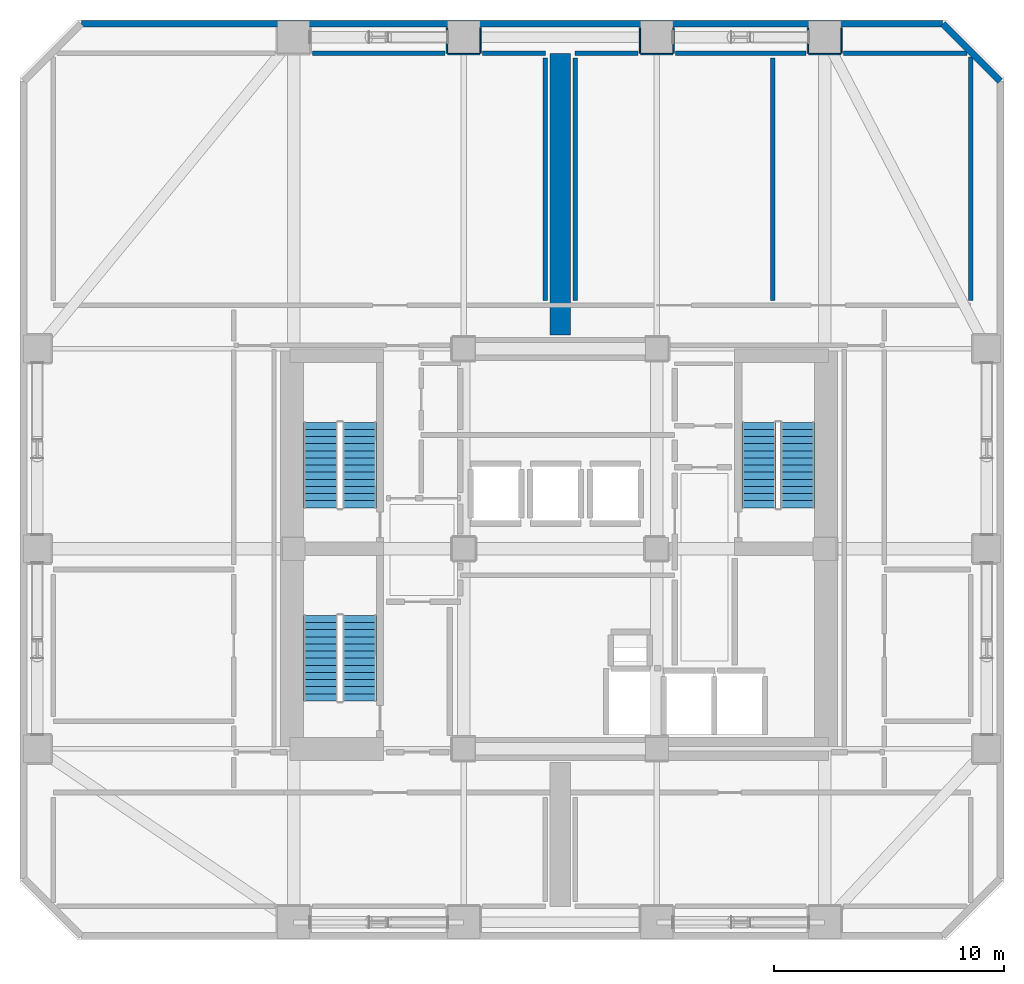
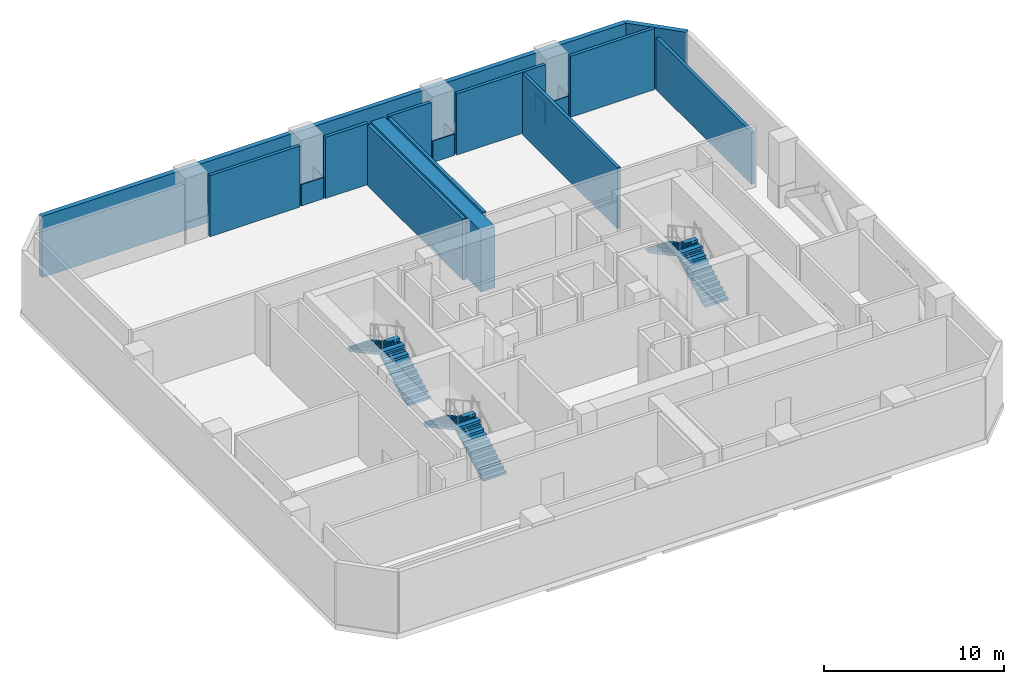
# One storey, part 10 of 11: 21 walls, 6 stair flights, 3 elements without a shape of their own.
"""IFC4 building model written with IfcOpenShell, lengths in metres."""

from ifc_helpers import new_model, si_unit, direction, frame, frame_2d, origin, place, context, subcontext, project, spatial, polyline, rectangle, outline, extrude, material, layer, layer_set, type_object, element, aggregate, save


model = new_model("IFC4")

# Units and contexts
model_context = context("Model", 3, precision=1e-05, world=origin(), true_north=direction((0.0, 1.0)))
body_context = subcontext(model_context, "Body", "Model", "MODEL_VIEW")
ifc_project = project(units=[si_unit("LENGTHUNIT", "METRE"), si_unit("AREAUNIT", "SQUARE_METRE"), si_unit("VOLUMEUNIT", "CUBIC_METRE"), si_unit("PLANEANGLEUNIT", "RADIAN"), si_unit("MASSUNIT", "GRAM", prefix="KILO")], contexts=[model_context])

# Site, building, storey
site_placement = place(None, origin())
site = spatial("IfcSite", under=ifc_project, at=site_placement, CompositionType="ELEMENT")
building_placement = place(site_placement, origin())
building = spatial("IfcBuilding", under=site, at=building_placement, Name="Solanera Arch Residences", CompositionType="ELEMENT")
storey_placement = place(building_placement, frame((0.0, 0.0, 88.39990234375)))
storey = spatial("IfcBuildingStorey", under=building, at=storey_placement, Name="L25", CompositionType="ELEMENT", Elevation=88.39990234375)

# Walls
ifc_material_1 = material(Name="Fire-Rated Gypsum Stud Partition", Category="gypsum")
ifc_layer_1 = layer(ifc_material_1, 0.06005859375)
ifc_layer_set_1 = layer_set([ifc_layer_1], Name="Fire-Rated Gypsum Stud Partition")
wall_type_1 = type_object("IfcWallType", Name="Column Acoustic Furring Wall 60", PredefinedType="PARTITIONING", material=ifc_layer_set_1)
wall_1_placement = place(storey_placement, frame((20.10009765625, 52.218017578125, 0.0), z_axis=(0.0, 0.0, 1.0), x_axis=(1.0, 0.0, 0.0)))
element("IfcWall", 1, at=wall_1_placement, inside=storey, type_object=wall_type_1, Name="L25 Column Furring 12S", PredefinedType="PARTITIONING", context=body_context, shape_type="SweptSolid", body=[
    extrude(rectangle(XDim=1.39990234375, YDim=0.06005859375, at=frame_2d((0.699951171875, 0.0))), origin(), (0.0, 0.0, 1.0), 1.4501953125),
])
for number, where, z_axis, x_axis, name in (
    (2, (20.068115234375, 52.25, 0.0), (0.0, 0.0, 1.0), (0.0, 1.0, 0.0), "L25 Column Furring 12W"),
    (3, (21.531982421875, 52.25, 0.0), (0.0, 0.0, 1.0), (0.0, 1.0, 0.0), "L25 Column Furring 12E"),
):
    element("IfcWall", number, at=place(storey_placement, frame(where, z_axis=z_axis, x_axis=x_axis)), inside=storey, type_object=wall_type_1, Name=name, PredefinedType="PARTITIONING", context=body_context, shape_type="SweptSolid", body=[
        extrude(rectangle(XDim=1.1201171875, YDim=0.06005859375, at=frame_2d((0.56005859375, 0.0))), origin(), (0.0, 0.0, 1.0), 1.4501953125),
    ])
wall_2_placement = place(storey_placement, frame((28.5, 52.218017578125, 0.0), z_axis=(0.0, 0.0, 1.0), x_axis=(1.0, 0.0, 0.0)))
element("IfcWall", 4, at=wall_2_placement, inside=storey, type_object=wall_type_1, Name="L25 Column Furring 14S", PredefinedType="PARTITIONING", context=body_context, shape_type="SweptSolid", body=[
    extrude(rectangle(XDim=1.39990234375, YDim=0.06005859375, at=frame_2d((0.699951171875, 0.0))), origin(), (0.0, 0.0, 1.0), 1.4501953125),
])
for number, where, z_axis, x_axis, name in (
    (5, (28.468017578125, 52.25, 0.0), (0.0, 0.0, 1.0), (0.0, 1.0, 0.0), "L25 Column Furring 14W"),
    (6, (29.931884765625, 52.25, 0.0), (0.0, 0.0, 1.0), (0.0, 1.0, 0.0), "L25 Column Furring 14E"),
):
    element("IfcWall", number, at=place(storey_placement, frame(where, z_axis=z_axis, x_axis=x_axis)), inside=storey, type_object=wall_type_1, Name=name, PredefinedType="PARTITIONING", context=body_context, shape_type="SweptSolid", body=[
        extrude(rectangle(XDim=1.1201171875, YDim=0.06005859375, at=frame_2d((0.56005859375, 0.0))), origin(), (0.0, 0.0, 1.0), 1.4501953125),
    ])
wall_3_placement = place(storey_placement, frame((35.800048828125, 52.218017578125, 0.0), z_axis=(0.0, 0.0, 1.0), x_axis=(1.0, 0.0, 0.0)))
element("IfcWall", 7, at=wall_3_placement, inside=storey, type_object=wall_type_1, Name="L25 Column Furring 16S", PredefinedType="PARTITIONING", context=body_context, shape_type="SweptSolid", body=[
    extrude(rectangle(XDim=1.39990234375, YDim=0.06005859375, at=frame_2d((0.699951171875, 0.0))), origin(), (0.0, 0.0, 1.0), 1.4501953125),
])
for number, where, z_axis, x_axis, name in (
    (8, (35.76806640625, 52.25, 0.0), (0.0, 0.0, 1.0), (0.0, 1.0, 0.0), "L25 Column Furring 16W"),
    (9, (37.23193359375, 52.25, 0.0), (0.0, 0.0, 1.0), (0.0, 1.0, 0.0), "L25 Column Furring 16E"),
):
    element("IfcWall", number, at=place(storey_placement, frame(where, z_axis=z_axis, x_axis=x_axis)), inside=storey, type_object=wall_type_1, Name=name, PredefinedType="PARTITIONING", context=body_context, shape_type="SweptSolid", body=[
        extrude(rectangle(XDim=1.1201171875, YDim=0.06005859375, at=frame_2d((0.56005859375, 0.0))), origin(), (0.0, 0.0, 1.0), 1.4501953125),
    ])
ifc_material_2 = material(Name="Concrete C55/67 (f'c = 60 MPa)", Category="concrete")
ifc_layer_2 = layer(ifc_material_2, 0.89990234375)
ifc_layer_set_2 = layer_set([ifc_layer_2], Name="Concrete C55/67 (f'c = 60 MPa)")
wall_type_2 = type_object("IfcWallType", Name="Core Shear Wall Outrigger OW-900", PredefinedType="SHEAR", material=ifc_layer_set_2)
wall_4_placement = place(storey_placement, frame((25.0, 40.0, 0.0), z_axis=(0.0, 0.0, 1.0), x_axis=(0.0, 1.0, 0.0)))
element("IfcWall", 10, at=wall_4_placement, inside=storey, type_object=wall_type_2, Name="L25 North Outrigger Shear Wall", PredefinedType="SHEAR", context=body_context, shape_type="SweptSolid", body=[
    extrude(rectangle(XDim=12.25, YDim=0.89990234375, at=frame_2d((6.125, 0.0))), origin(), (0.0, 0.0, 1.0), 4.14013671875),
])
ifc_material_3 = material(Name="Precast Concrete C35/45", Category="concrete")
ifc_layer_3 = layer(ifc_material_3, 0.300048828125)
ifc_layer_set_3 = layer_set([ifc_layer_3], Name="Precast Concrete C35/45")
wall_type_3 = type_object("IfcWallType", Name="Exterior Wall Precast Masonry-Frame 300", PredefinedType="STANDARD", material=ifc_layer_set_3)
wall_5_placement = place(storey_placement, frame((4.1650390625, 53.534912109375, 0.0), z_axis=(0.0, 0.0, 1.0), x_axis=(1.0, 0.0, 0.0)))
element("IfcWall", 11, at=wall_5_placement, inside=storey, type_object=wall_type_3, Name="L25 Tower Exterior Precast Masonry-Frame Wall N", PredefinedType="STANDARD", context=body_context, shape_type="SweptSolid", body=[
    extrude(rectangle(XDim=37.469970703125, YDim=0.300048828125, at=frame_2d((18.73486328125, 0.0))), origin(), (0.0, 0.0, 1.0), 4.14013671875),
])
wall_6_placement = place(storey_placement, frame((41.635009765625, 53.534912109375, 0.0), z_axis=(0.0, 0.0, 1.0), x_axis=(0.707106781187, -0.707106781187, 0.0)))
element("IfcWall", 12, at=wall_6_placement, inside=storey, type_object=wall_type_3, Name="L25 Tower Exterior Precast Masonry-Frame Wall CH3", PredefinedType="STANDARD", context=body_context, shape_type="SweptSolid", body=[
    extrude(rectangle(XDim=3.53564453125, YDim=0.300048828125, at=frame_2d((1.767822265625, 0.0))), origin(), (0.0, 0.0, 1.0), 4.14013671875),
])
ifc_material_4 = material(Name="Autoclaved Aerated Concrete Blockwork", Category="masonry")
ifc_layer_4 = layer(ifc_material_4, 0.199951171875)
ifc_layer_set_4 = layer_set([ifc_layer_4], Name="Autoclaved Aerated Concrete Blockwork")
wall_type_4 = type_object("IfcWallType", Name="Party Wall Acoustic 200", PredefinedType="PARTITIONING", material=ifc_layer_set_4)
wall_7_placement = place(storey_placement, frame((14.2119140625, 52.25, 0.0), z_axis=(0.0, 0.0, 1.0), x_axis=(1.0, 0.0, 0.0)))
element("IfcWall", 13, at=wall_7_placement, inside=storey, type_object=wall_type_4, Name="L25 Interior Partition H15 2", PredefinedType="PARTITIONING", context=body_context, shape_type="SweptSolid", body=[
    extrude(rectangle(XDim=5.776123046875, YDim=0.199951171875, at=frame_2d((2.88818359375, 0.0))), origin(), (0.0, 0.0, 1.0), 4.14013671875),
])
for number, where, z_axis, x_axis, name in (
    (14, (21.612060546875, 52.25, 0.0), (0.0, 0.0, 1.0), (1.0, 0.0, 0.0), "L25 Interior Partition H15 3"),
    (15, (25.64990234375, 52.25, 0.0), (0.0, 0.0, 1.0), (1.0, 0.0, 0.0), "L25 Interior Partition H16 1"),
):
    element("IfcWall", number, at=place(storey_placement, frame(where, z_axis=z_axis, x_axis=x_axis)), inside=storey, type_object=wall_type_4, Name=name, PredefinedType="PARTITIONING", context=body_context, shape_type="SweptSolid", body=[
        extrude(rectangle(XDim=2.738037109375, YDim=0.199951171875, at=frame_2d((1.369140625, 0.0))), origin(), (0.0, 0.0, 1.0), 4.14013671875),
    ])
wall_8_placement = place(storey_placement, frame((30.011962890625, 52.25, 0.0), z_axis=(0.0, 0.0, 1.0), x_axis=(1.0, 0.0, 0.0)))
element("IfcWall", 16, at=wall_8_placement, inside=storey, type_object=wall_type_4, Name="L25 Interior Partition H16 2", PredefinedType="PARTITIONING", context=body_context, shape_type="SweptSolid", body=[
    extrude(rectangle(XDim=5.676025390625, YDim=0.199951171875, at=frame_2d((2.837890625, 0.0))), origin(), (0.0, 0.0, 1.0), 4.14013671875),
])
wall_9_placement = place(storey_placement, frame((37.31201171875, 52.25, 0.0), z_axis=(0.0, 0.0, 1.0), x_axis=(1.0, 0.0, 0.0)))
element("IfcWall", 17, at=wall_9_placement, inside=storey, type_object=wall_type_4, Name="L25 Interior Partition H16 3", PredefinedType="PARTITIONING", context=body_context, shape_type="SweptSolid", body=[
    extrude(rectangle(XDim=5.37890625, YDim=0.199951171875, at=frame_2d((2.689453125, 0.0))), origin(), (0.0, 0.0, 1.0), 4.14013671875),
])
for number, where, z_axis, x_axis, name in (
    (18, (24.35009765625, 41.508056640625, 0.0), (0.0, 0.0, 1.0), (0.0, 1.0, 0.0), "L25 Interior Partition V12"),
    (19, (25.64990234375, 41.508056640625, 0.0), (0.0, 0.0, 1.0), (0.0, 1.0, 0.0), "L25 Interior Partition V14"),
    (20, (34.25, 41.508056640625, 0.0), (0.0, 0.0, 1.0), (0.0, 1.0, 0.0), "L25 Interior Partition V15"),
):
    element("IfcWall", number, at=place(storey_placement, frame(where, z_axis=z_axis, x_axis=x_axis)), inside=storey, type_object=wall_type_4, Name=name, PredefinedType="PARTITIONING", context=body_context, shape_type="SweptSolid", body=[
        extrude(rectangle(XDim=10.533935546875, YDim=0.199951171875, at=frame_2d((5.26708984375, 0.0))), origin(), (0.0, 0.0, 1.0), 4.14013671875),
    ])
wall_10_placement = place(storey_placement, frame((42.85009765625, 41.508056640625, 0.0), z_axis=(0.0, 0.0, 1.0), x_axis=(0.0, 1.0, 0.0)))
element("IfcWall", 21, at=wall_10_placement, inside=storey, type_object=wall_type_4, Name="L25 Interior Partition V19", PredefinedType="PARTITIONING", context=body_context, shape_type="SweptSolid", body=[
    extrude(rectangle(XDim=10.5830078125, YDim=0.199951171875, at=frame_2d((5.29150390625, 0.0))), origin(), (0.0, 0.0, 1.0), 3.525146484375),
])

# Stair, stair flights
ifc_material_5 = material(Name="Concrete C40/50 (f'c = 45 MPa)", Category="concrete")
stair_type = type_object("IfcStairType", Name="Tower Dogleg Exit Stair 1480", PredefinedType="HALF_TURN_STAIR", material=ifc_material_5)
stair_1_placement = place(storey_placement, origin())
stair_1 = element("IfcStair", 22, at=stair_1_placement, inside=storey, type_object=stair_type, Name="L25 Tower Core Exit Stair 1", PredefinedType="HALF_TURN_STAIR")
ifc_material_6 = material(Name="Concrete C40/50 (f'c = 45 MPa)", Category="concrete")
stair_flight_type = type_object("IfcStairFlightType", Name="Tower Precast Stair Flight 1480", PredefinedType="STRAIGHT", material=ifc_material_6)
stair_flight_1_placement = place(storey_placement, frame((16.260009765625, 32.47998046875, 0.0), z_axis=(0.0, 0.0, 1.0), x_axis=(0.0, 1.0, 0.0)))
stair_flight_1 = element("IfcStairFlight", 23, at=stair_flight_1_placement, type_object=stair_flight_type, Name="ST-T1 flight 1", NumberOfRisers=13, NumberOfTreads=12, PredefinedType="STRAIGHT", RiserHeight=0.169230769, TreadLength=0.31, context=body_context, shape_type="SweptSolid", body=[
    extrude(outline(polyline([(0.0, 0.0), (0.0, 0.169189453125), (0.31005859375, 0.169189453125), (0.31005859375, 0.33837890625), (0.6201171875, 0.33837890625), (0.6201171875, 0.5078125), (0.929931640625, 0.5078125), (0.929931640625, 0.677001953125), (1.239990234375, 0.677001953125), (1.239990234375, 0.84619140625), (1.550048828125, 0.84619140625), (1.550048828125, 1.015380859375), (1.860107421875, 1.015380859375), (1.860107421875, 1.1845703125), (2.169921875, 1.1845703125), (2.169921875, 1.353759765625), (2.47998046875, 1.353759765625), (2.47998046875, 1.523193359375), (2.7900390625, 1.523193359375), (2.7900390625, 1.6923828125), (3.10009765625, 1.6923828125), (3.10009765625, 1.861572265625), (3.409912109375, 1.861572265625), (3.409912109375, 2.03076171875), (3.719970703125, 2.03076171875), (3.719970703125, 2.199951171875), (3.719970703125, 1.85986328125), (0.312744140625, 0.0), (0.0, 0.0)])), frame((0.0, 0.739990234375, 0.0), z_axis=(0.0, -1.0, 0.0), x_axis=(1.0, 0.0, 0.0)), (0.0, 0.0, 1.0), 1.47998046875),
])
stair_flight_2_placement = place(storey_placement, frame((14.580078125, 36.199951171875, 2.2001953125), z_axis=(0.0, 0.0, 1.0), x_axis=(0.0, -1.0, 0.0)))
stair_flight_2 = element("IfcStairFlight", 24, at=stair_flight_2_placement, type_object=stair_flight_type, Name="ST-T1 flight 2", NumberOfRisers=13, NumberOfTreads=12, PredefinedType="STRAIGHT", RiserHeight=0.169230769, TreadLength=0.31, context=body_context, shape_type="SweptSolid", body=[
    extrude(outline(polyline([(0.0, 0.0), (0.0, 0.169189453125), (0.31005859375, 0.169189453125), (0.31005859375, 0.33837890625), (0.6201171875, 0.33837890625), (0.6201171875, 0.5078125), (0.929931640625, 0.5078125), (0.929931640625, 0.677001953125), (1.239990234375, 0.677001953125), (1.239990234375, 0.84619140625), (1.550048828125, 0.84619140625), (1.550048828125, 1.015380859375), (1.860107421875, 1.015380859375), (1.860107421875, 1.1845703125), (2.169921875, 1.1845703125), (2.169921875, 1.353759765625), (2.47998046875, 1.353759765625), (2.47998046875, 1.523193359375), (2.7900390625, 1.523193359375), (2.7900390625, 1.6923828125), (3.10009765625, 1.6923828125), (3.10009765625, 1.861572265625), (3.409912109375, 1.861572265625), (3.409912109375, 2.03076171875), (3.719970703125, 2.03076171875), (3.719970703125, 2.199951171875), (3.719970703125, 1.85986328125), (0.312744140625, 0.0), (0.0, 0.0)])), frame((0.0, 0.739990234375, 0.0), z_axis=(0.0, -1.0, 0.0), x_axis=(1.0, 0.0, 0.0)), (0.0, 0.0, 1.0), 1.47998046875),
])
aggregate(stair_1, [stair_flight_1, stair_flight_2])

stair_2_placement = place(storey_placement, origin())
stair_2 = element("IfcStair", 25, at=stair_2_placement, inside=storey, type_object=stair_type, Name="L25 Tower Core Exit Stair 2", PredefinedType="HALF_TURN_STAIR")
stair_flight_3_placement = place(storey_placement, frame((35.320068359375, 32.47998046875, 0.0), z_axis=(0.0, 0.0, 1.0), x_axis=(0.0, 1.0, 0.0)))
stair_flight_3 = element("IfcStairFlight", 26, at=stair_flight_3_placement, type_object=stair_flight_type, Name="ST-T2 flight 1", NumberOfRisers=13, NumberOfTreads=12, PredefinedType="STRAIGHT", RiserHeight=0.169230769, TreadLength=0.31, context=body_context, shape_type="SweptSolid", body=[
    extrude(outline(polyline([(0.0, 0.0), (0.0, 0.169189453125), (0.31005859375, 0.169189453125), (0.31005859375, 0.33837890625), (0.6201171875, 0.33837890625), (0.6201171875, 0.5078125), (0.929931640625, 0.5078125), (0.929931640625, 0.677001953125), (1.239990234375, 0.677001953125), (1.239990234375, 0.84619140625), (1.550048828125, 0.84619140625), (1.550048828125, 1.015380859375), (1.860107421875, 1.015380859375), (1.860107421875, 1.1845703125), (2.169921875, 1.1845703125), (2.169921875, 1.353759765625), (2.47998046875, 1.353759765625), (2.47998046875, 1.523193359375), (2.7900390625, 1.523193359375), (2.7900390625, 1.6923828125), (3.10009765625, 1.6923828125), (3.10009765625, 1.861572265625), (3.409912109375, 1.861572265625), (3.409912109375, 2.03076171875), (3.719970703125, 2.03076171875), (3.719970703125, 2.199951171875), (3.719970703125, 1.85986328125), (0.312744140625, 0.0), (0.0, 0.0)])), frame((0.0, 0.739990234375, 0.0), z_axis=(0.0, -1.0, 0.0), x_axis=(1.0, 0.0, 0.0)), (0.0, 0.0, 1.0), 1.47998046875),
])
stair_flight_4_placement = place(storey_placement, frame((33.639892578125, 36.199951171875, 2.2001953125), z_axis=(0.0, 0.0, 1.0), x_axis=(0.0, -1.0, 0.0)))
stair_flight_4 = element("IfcStairFlight", 27, at=stair_flight_4_placement, type_object=stair_flight_type, Name="ST-T2 flight 2", NumberOfRisers=13, NumberOfTreads=12, PredefinedType="STRAIGHT", RiserHeight=0.169230769, TreadLength=0.31, context=body_context, shape_type="SweptSolid", body=[
    extrude(outline(polyline([(0.0, 0.0), (0.0, 0.169189453125), (0.31005859375, 0.169189453125), (0.31005859375, 0.33837890625), (0.6201171875, 0.33837890625), (0.6201171875, 0.5078125), (0.929931640625, 0.5078125), (0.929931640625, 0.677001953125), (1.239990234375, 0.677001953125), (1.239990234375, 0.84619140625), (1.550048828125, 0.84619140625), (1.550048828125, 1.015380859375), (1.860107421875, 1.015380859375), (1.860107421875, 1.1845703125), (2.169921875, 1.1845703125), (2.169921875, 1.353759765625), (2.47998046875, 1.353759765625), (2.47998046875, 1.523193359375), (2.7900390625, 1.523193359375), (2.7900390625, 1.6923828125), (3.10009765625, 1.6923828125), (3.10009765625, 1.861572265625), (3.409912109375, 1.861572265625), (3.409912109375, 2.03076171875), (3.719970703125, 2.03076171875), (3.719970703125, 2.199951171875), (3.719970703125, 1.85986328125), (0.312744140625, 0.0), (0.0, 0.0)])), frame((0.0, 0.739990234375, 0.0), z_axis=(0.0, -1.0, 0.0), x_axis=(1.0, 0.0, 0.0)), (0.0, 0.0, 1.0), 1.47998046875),
])
aggregate(stair_2, [stair_flight_3, stair_flight_4])

stair_3_placement = place(storey_placement, origin())
stair_3 = element("IfcStair", 28, at=stair_3_placement, inside=storey, type_object=stair_type, Name="L25 Tower Core Exit Stair 3", PredefinedType="HALF_TURN_STAIR")
stair_flight_5_placement = place(storey_placement, frame((16.260009765625, 24.080078125, 0.0), z_axis=(0.0, 0.0, 1.0), x_axis=(0.0, 1.0, 0.0)))
stair_flight_5 = element("IfcStairFlight", 29, at=stair_flight_5_placement, type_object=stair_flight_type, Name="ST-T3 flight 1", NumberOfRisers=13, NumberOfTreads=12, PredefinedType="STRAIGHT", RiserHeight=0.169230769, TreadLength=0.31, context=body_context, shape_type="SweptSolid", body=[
    extrude(outline(polyline([(0.0, 0.0), (0.0, 0.169189453125), (0.31005859375, 0.169189453125), (0.31005859375, 0.33837890625), (0.6201171875, 0.33837890625), (0.6201171875, 0.5078125), (0.929931640625, 0.5078125), (0.929931640625, 0.677001953125), (1.239990234375, 0.677001953125), (1.239990234375, 0.84619140625), (1.550048828125, 0.84619140625), (1.550048828125, 1.015380859375), (1.860107421875, 1.015380859375), (1.860107421875, 1.1845703125), (2.169921875, 1.1845703125), (2.169921875, 1.353759765625), (2.47998046875, 1.353759765625), (2.47998046875, 1.523193359375), (2.7900390625, 1.523193359375), (2.7900390625, 1.6923828125), (3.10009765625, 1.6923828125), (3.10009765625, 1.861572265625), (3.409912109375, 1.861572265625), (3.409912109375, 2.03076171875), (3.719970703125, 2.03076171875), (3.719970703125, 2.199951171875), (3.719970703125, 1.85986328125), (0.312744140625, 0.0), (0.0, 0.0)])), frame((0.0, 0.739990234375, 0.0), z_axis=(0.0, -1.0, 0.0), x_axis=(1.0, 0.0, 0.0)), (0.0, 0.0, 1.0), 1.47998046875),
])
stair_flight_6_placement = place(storey_placement, frame((14.580078125, 27.800048828125, 2.2001953125), z_axis=(0.0, 0.0, 1.0), x_axis=(0.0, -1.0, 0.0)))
stair_flight_6 = element("IfcStairFlight", 30, at=stair_flight_6_placement, type_object=stair_flight_type, Name="ST-T3 flight 2", NumberOfRisers=13, NumberOfTreads=12, PredefinedType="STRAIGHT", RiserHeight=0.169230769, TreadLength=0.31, context=body_context, shape_type="SweptSolid", body=[
    extrude(outline(polyline([(0.0, 0.0), (0.0, 0.169189453125), (0.31005859375, 0.169189453125), (0.31005859375, 0.33837890625), (0.6201171875, 0.33837890625), (0.6201171875, 0.5078125), (0.929931640625, 0.5078125), (0.929931640625, 0.677001953125), (1.239990234375, 0.677001953125), (1.239990234375, 0.84619140625), (1.550048828125, 0.84619140625), (1.550048828125, 1.015380859375), (1.860107421875, 1.015380859375), (1.860107421875, 1.1845703125), (2.169921875, 1.1845703125), (2.169921875, 1.353759765625), (2.47998046875, 1.353759765625), (2.47998046875, 1.523193359375), (2.7900390625, 1.523193359375), (2.7900390625, 1.6923828125), (3.10009765625, 1.6923828125), (3.10009765625, 1.861572265625), (3.409912109375, 1.861572265625), (3.409912109375, 2.03076171875), (3.719970703125, 2.03076171875), (3.719970703125, 2.199951171875), (3.719970703125, 1.85986328125), (0.312744140625, 0.0), (0.0, 0.0)])), frame((0.0, 0.739990234375, 0.0), z_axis=(0.0, -1.0, 0.0), x_axis=(1.0, 0.0, 0.0)), (0.0, 0.0, 1.0), 1.47998046875),
])
aggregate(stair_3, [stair_flight_5, stair_flight_6])

save(model, "model.ifc")
